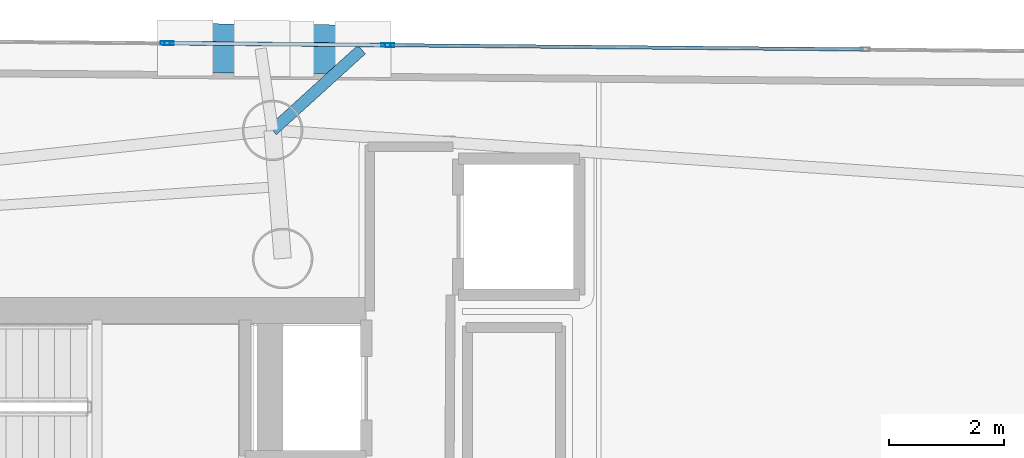
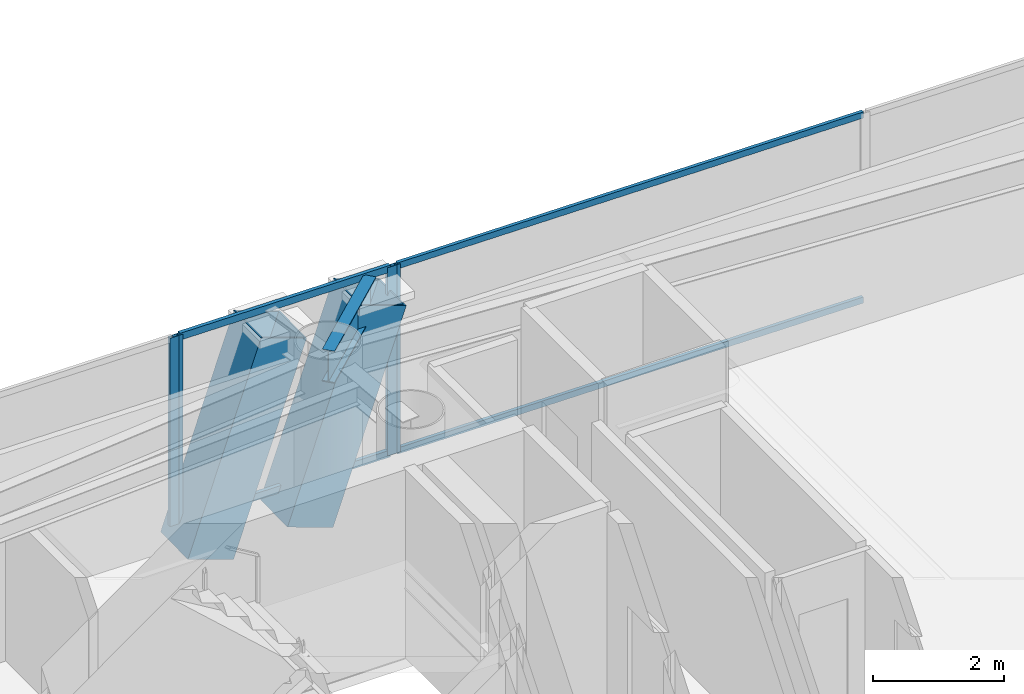
# One storey, part 12 of 21: 10 members, 1 beam, 3 elements without a shape of their own.
"""IFC4 building model written with IfcOpenShell, lengths in metres."""

from ifc_helpers import new_model, si_unit, direction, frame, origin, origin_2d, place, context, subcontext, project, spatial, hollow_rectangle, i_section, extrude, material, layer, layer_set, material_profile, profile_set, type_object, element, aggregate, save


model = new_model("IFC4")

# Units and contexts
model_context = context("Model", 3, precision=1e-05, world=origin(), true_north=direction((0.0, 1.0)))
body_context = subcontext(model_context, "Body", "Model", "MODEL_VIEW")
ifc_project = project(units=[si_unit("LENGTHUNIT", "METRE"), si_unit("AREAUNIT", "SQUARE_METRE"), si_unit("VOLUMEUNIT", "CUBIC_METRE"), si_unit("PLANEANGLEUNIT", "RADIAN"), si_unit("MASSUNIT", "GRAM", prefix="KILO")], contexts=[model_context])

# Site, building, storey
site_placement = place(None, origin())
site = spatial("IfcSite", under=ifc_project, at=site_placement, CompositionType="ELEMENT")
building_placement = place(site_placement, origin())
building = spatial("IfcBuilding", under=site, at=building_placement, Name="Qianvela Tower", CompositionType="ELEMENT")
storey_placement = place(building_placement, frame((0.0, 0.0, 250.10009765625)))
storey = spatial("IfcBuildingStorey", under=building, at=storey_placement, Name="L64", CompositionType="ELEMENT", Elevation=250.10009765625)

# Beam
ifc_material_1 = material(Name="Steel Q355B", Category="steel")
ifc_material_profile_1 = material_profile(ifc_material_1, i_section(OverallWidth=0.199951171875, OverallDepth=0.60009765625, WebThickness=0.010986328125, FlangeThickness=0.01708984375, at=origin_2d()), Name="HN600x200x11x17")
ifc_profile_set_1 = profile_set([ifc_material_profile_1], Name="Steel Q355B")
beam_type = type_object("IfcBeamType", Name="BM-HN600-GIRD", PredefinedType="BEAM", material=ifc_profile_set_1)
beam_placement = place(storey_placement, frame((38.22509765625, 35.77294921875, 3.218017578125), z_axis=(0.740093500726, 0.672503985254, 0.0), x_axis=(-0.672503985254, 0.740093500726, 0.0)))
element("IfcBeam", 1, at=beam_placement, inside=storey, type_object=beam_type, Name="L64 Mega-Brace Column Tie Bracket F1-1", PredefinedType="BEAM", context=body_context, shape_type="SweptSolid", body=[
    extrude(i_section(OverallWidth=0.199951171875, OverallDepth=0.60009765625, WebThickness=0.010986328125, FlangeThickness=0.01708984375, at=origin_2d()), origin(), (0.0, 0.0, 1.0), 2.087890625),
])

# Curtain wall, members
ifc_material_2 = material(Name="Anodised Architectural Aluminium and Insulated Spandrel Panel", Category="aluminium")
ifc_layer_1 = layer(ifc_material_2, 0.179931640625)
ifc_layer_set_1 = layer_set([ifc_layer_1], Name="Anodised Architectural Aluminium and Insulated Spandrel Panel")
curtain_wall_type_1 = type_object("IfcCurtainWallType", Name="CW-BRACEBAY", PredefinedType="USERDEFINED", material=ifc_layer_set_1)
curtain_wall_1_placement = place(storey_placement, origin())
curtain_wall_1 = element("IfcCurtainWall", 2, at=curtain_wall_1_placement, inside=storey, type_object=curtain_wall_type_1, Name="L64 CW-BRACEBAY Curtain Wall 02B", ObjectType="CURTAIN_WALL_SYSTEM", PredefinedType="USERDEFINED")
ifc_material_3 = material(Name="Anodised Architectural Aluminium 6063-T6", Category="aluminium")
ifc_material_profile_2 = material_profile(ifc_material_3, hollow_rectangle(XDim=0.06494140625, YDim=0.159912109375, WallThickness=0.0048828125, at=origin_2d()), Name="ALU-MULL-65x160")
ifc_profile_set_2 = profile_set([ifc_material_profile_2], Name="Anodised Architectural Aluminium 6063-T6")
member_type_1 = type_object("IfcMemberType", Name="CW-BRACEBAY-MULL", PredefinedType="MULLION", material=ifc_profile_set_2)
member_1_placement = place(storey_placement, frame((40.190673828125, 37.253173828125, 0.0), z_axis=(0.0, 0.0, 1.0), x_axis=(-0.008955488266, -0.999959898811, 0.0)))
member_1 = element("IfcMember", 3, at=member_1_placement, type_object=member_type_1, Name="CW-9 mullion 1", PredefinedType="MULLION", context=body_context, shape_type="SweptSolid", body=[
    extrude(hollow_rectangle(XDim=0.06494140625, YDim=0.159912109375, WallThickness=0.0048828125, at=origin_2d()), origin(), (0.0, 0.0, 1.0), 3.52001953125),
])
member_2_placement = place(storey_placement, frame((36.42578125, 37.287109375, 0.0), z_axis=(0.0, 0.0, 1.0), x_axis=(-0.008955488266, -0.999959898811, 0.0)))
member_2 = element("IfcMember", 4, at=member_2_placement, type_object=member_type_1, Name="CW-9 mullion 2", PredefinedType="MULLION", context=body_context, shape_type="SweptSolid", body=[
    extrude(hollow_rectangle(XDim=0.06494140625, YDim=0.159912109375, WallThickness=0.0048828125, at=origin_2d()), origin(), (0.0, 0.0, 1.0), 3.52001953125),
])
ifc_material_4 = material(Name="Anodised Architectural Aluminium 6063-T6", Category="aluminium")
ifc_material_profile_3 = material_profile(ifc_material_4, hollow_rectangle(XDim=0.06494140625, YDim=0.1298828125, WallThickness=0.00439453125, at=origin_2d()), Name="ALU-TRAN-65x130")
ifc_profile_set_3 = profile_set([ifc_material_profile_3], Name="Anodised Architectural Aluminium 6063-T6")
member_type_2 = type_object("IfcMemberType", Name="CW-BRACEBAY-TRAN", PredefinedType="USERDEFINED", material=ifc_profile_set_3)
member_3_placement = place(storey_placement, frame((40.158203125, 37.253662109375, 0.032470703125), z_axis=(-0.999960326564, 0.008907597762, 0.0), x_axis=(-0.008907597762, -0.999960326564, 0.0)))
member_3 = element("IfcMember", 5, at=member_3_placement, type_object=member_type_2, Name="CW-9 transom 1.1", ObjectType="TRANSOM", PredefinedType="USERDEFINED", context=body_context, shape_type="SweptSolid", body=[
    extrude(hollow_rectangle(XDim=0.06494140625, YDim=0.1298828125, WallThickness=0.00439453125, at=origin_2d()), origin(), (0.0, 0.0, 1.0), 3.7001953125),
])
member_4_placement = place(storey_placement, frame((40.158203125, 37.253662109375, 3.4873046875), z_axis=(-0.999960326564, 0.008907597762, 0.0), x_axis=(-0.008907597762, -0.999960326564, 0.0)))
member_4 = element("IfcMember", 6, at=member_4_placement, type_object=member_type_2, Name="CW-9 transom 1.2", ObjectType="TRANSOM", PredefinedType="USERDEFINED", context=body_context, shape_type="SweptSolid", body=[
    extrude(hollow_rectangle(XDim=0.06494140625, YDim=0.1298828125, WallThickness=0.00439453125, at=origin_2d()), origin(), (0.0, 0.0, 1.0), 3.7001953125),
])
aggregate(curtain_wall_1, [member_1, member_2, member_3, member_4])

# Curtain wall, member
ifc_material_5 = material(Name="Anodised Architectural Aluminium and Low-E Glass", Category="aluminium")
ifc_layer_2 = layer(ifc_material_5, 0.159912109375)
ifc_layer_set_2 = layer_set([ifc_layer_2], Name="Anodised Architectural Aluminium and Low-E Glass")
curtain_wall_type_2 = type_object("IfcCurtainWallType", Name="CW-COLIV-Z56", PredefinedType="USERDEFINED", material=ifc_layer_set_2)
curtain_wall_2_placement = place(storey_placement, origin())
curtain_wall_2 = element("IfcCurtainWall", 7, at=curtain_wall_2_placement, inside=storey, type_object=curtain_wall_type_2, Name="L64 CW-COLIV-Z56 Curtain Wall 02A", ObjectType="CURTAIN_WALL_SYSTEM", PredefinedType="USERDEFINED")
ifc_material_6 = material(Name="Anodised Architectural Aluminium 6063-T6", Category="aluminium")
ifc_material_profile_4 = material_profile(ifc_material_6, hollow_rectangle(XDim=0.06494140625, YDim=0.159912109375, WallThickness=0.0048828125, at=origin_2d()), Name="ALU-MULL-65x160")
ifc_profile_set_4 = profile_set([ifc_material_profile_4], Name="Anodised Architectural Aluminium 6063-T6")
member_type_3 = type_object("IfcMemberType", Name="CW-COLIV-Z56-MULL", PredefinedType="MULLION", material=ifc_profile_set_4)
member_5_placement = place(storey_placement, frame((40.255615234375, 37.252685546875, 0.0), z_axis=(0.0, 0.0, 1.0), x_axis=(-0.008956593067, -0.999959888916, 0.0)))
member_5 = element("IfcMember", 8, at=member_5_placement, type_object=member_type_3, Name="CW-5 mullion 3", PredefinedType="MULLION", context=body_context, shape_type="SweptSolid", body=[
    extrude(hollow_rectangle(XDim=0.06494140625, YDim=0.159912109375, WallThickness=0.0048828125, at=origin_2d()), origin(), (0.0, 0.0, 1.0), 3.52001953125),
])

curtain_wall_3_placement = place(storey_placement, origin())
curtain_wall_3 = element("IfcCurtainWall", 9, at=curtain_wall_3_placement, inside=storey, type_object=curtain_wall_type_2, Name="L64 CW-COLIV-Z56 Curtain Wall 02C", ObjectType="CURTAIN_WALL_SYSTEM", PredefinedType="USERDEFINED")
member_6_placement = place(storey_placement, frame((36.36083984375, 37.28759765625, 0.0), z_axis=(0.0, 0.0, 1.0), x_axis=(-0.008960365602, -0.999959855118, 0.0)))
member_6 = element("IfcMember", 10, at=member_6_placement, type_object=member_type_3, Name="CW-5 mullion 1", PredefinedType="MULLION", context=body_context, shape_type="SweptSolid", body=[
    extrude(hollow_rectangle(XDim=0.06494140625, YDim=0.159912109375, WallThickness=0.0048828125, at=origin_2d()), origin(), (0.0, 0.0, 1.0), 3.52001953125),
])
aggregate(curtain_wall_3, [member_6])

# Member
ifc_material_7 = material(Name="Anodised Architectural Aluminium 6063-T6", Category="aluminium")
ifc_material_profile_5 = material_profile(ifc_material_7, hollow_rectangle(XDim=0.06005859375, YDim=0.114990234375, WallThickness=0.00390625, at=origin_2d()), Name="ALU-TRAN-60x115")
ifc_profile_set_5 = profile_set([ifc_material_profile_5], Name="Anodised Architectural Aluminium 6063-T6")
member_type_4 = type_object("IfcMemberType", Name="CW-COLIV-Z56-TRAN", PredefinedType="USERDEFINED", material=ifc_profile_set_5)
member_7_placement = place(storey_placement, frame((48.48046875, 37.178955078125, 0.02978515625), z_axis=(-0.999959771261, 0.008969719011, 0.0), x_axis=(-0.008969719011, -0.999959771261, 0.0)))
member_7 = element("IfcMember", 11, at=member_7_placement, type_object=member_type_4, Name="CW-5 transom 2.1", ObjectType="TRANSOM", PredefinedType="USERDEFINED", context=body_context, shape_type="SweptSolid", body=[
    extrude(hollow_rectangle(XDim=0.06005859375, YDim=0.114990234375, WallThickness=0.00390625, at=origin_2d()), origin(), (0.0, 0.0, 1.0), 8.192626953125),
])

member_8_placement = place(storey_placement, frame((48.48046875, 37.178955078125, 3.489990234375), z_axis=(-0.999959771261, 0.008969719011, 0.0), x_axis=(-0.008969719011, -0.999959771261, 0.0)))
member_8 = element("IfcMember", 12, at=member_8_placement, type_object=member_type_4, Name="CW-5 transom 2.2", ObjectType="TRANSOM", PredefinedType="USERDEFINED", context=body_context, shape_type="SweptSolid", body=[
    extrude(hollow_rectangle(XDim=0.06005859375, YDim=0.114990234375, WallThickness=0.00390625, at=origin_2d()), origin(), (0.0, 0.0, 1.0), 8.192626953125),
])

aggregate(curtain_wall_2, [member_5, member_7, member_8])

# Members
ifc_material_8 = material(Name="Steel Q420GJC", Category="steel")
ifc_material_profile_6 = material_profile(ifc_material_8, hollow_rectangle(XDim=0.85009765625, YDim=0.85009765625, WallThickness=0.031982421875, at=origin_2d()), Name="MBOX-850x850x32")
ifc_profile_set_6 = profile_set([ifc_material_profile_6], Name="Steel Q420GJC")
member_type_5 = type_object("IfcMemberType", Name="MBR-MBRACE-850", PredefinedType="BRACE", material=ifc_profile_set_6)
for number, where, z_axis, x_axis, name in (
    (13, (38.48193359375, 37.188720703125, -0.482177734375), (0.328816404827, -0.002990939441, 0.944389128589), (0.009095701042, 0.999958633256, 0.0), "L64 Tier 10 Exterior Mega-Brace F1A"),
    (14, (36.729736328125, 37.204345703125, -0.482177734375), (0.328705310357, -0.002928748737, 0.944427996924), (0.008909598959, 0.999960308735, 0.0), "L64 Tier 10 Exterior Mega-Brace F1B"),
):
    element("IfcMember", number, at=place(storey_placement, frame(where, z_axis=z_axis, x_axis=x_axis)), inside=storey, type_object=member_type_5, Name=name, PredefinedType="BRACE", context=body_context, shape_type="SweptSolid", body=[
        extrude(hollow_rectangle(XDim=0.85009765625, YDim=0.85009765625, WallThickness=0.031982421875, at=origin_2d()), origin(), (0.0, 0.0, 1.0), 3.91796875),
    ])

save(model, "model.ifc")
